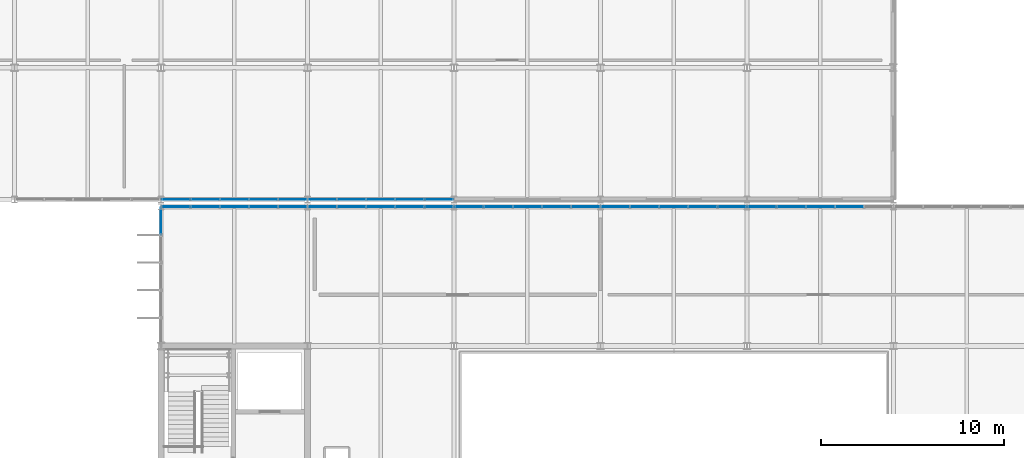
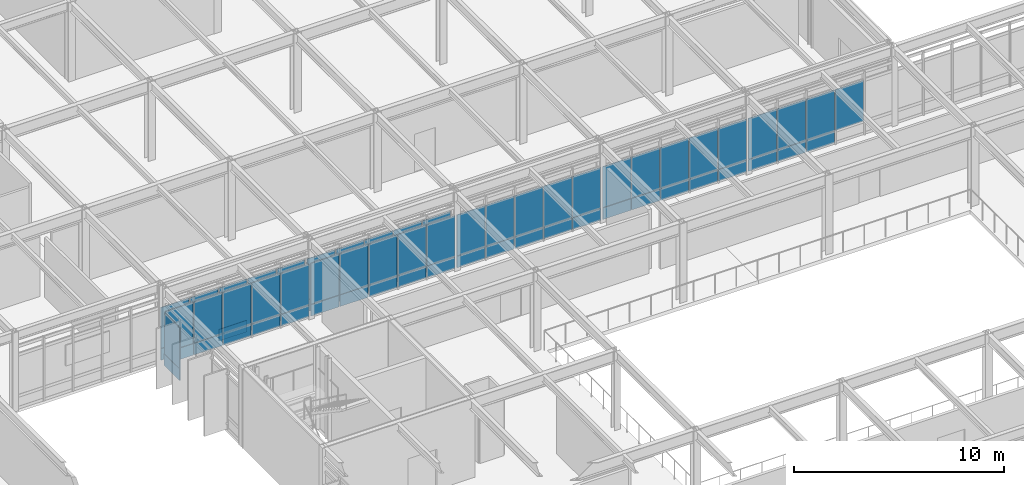
# One storey, part 73 of 104: 69 plates, 8 elements without a shape of their own.
"""IFC4 building model written with IfcOpenShell, lengths in metres."""

from ifc_helpers import new_model, si_unit, direction, frame, origin, origin_2d, place, context, subcontext, project, spatial, rectangle, extrude, material, layer, layer_set, type_object, element, aggregate, save


model = new_model("IFC4")

# Units and contexts
model_context = context("Model", 3, precision=1e-05, world=origin(), true_north=direction((0.0, 1.0)))
body_context = subcontext(model_context, "Body", "Model", "MODEL_VIEW")
ifc_project = project(units=[si_unit("LENGTHUNIT", "METRE"), si_unit("AREAUNIT", "SQUARE_METRE"), si_unit("VOLUMEUNIT", "CUBIC_METRE"), si_unit("PLANEANGLEUNIT", "RADIAN"), si_unit("MASSUNIT", "GRAM", prefix="KILO")], contexts=[model_context])

# Site, building, storey
site_placement = place(None, origin())
site = spatial("IfcSite", under=ifc_project, at=site_placement, CompositionType="ELEMENT")
building_placement = place(site_placement, origin())
building = spatial("IfcBuilding", under=site, at=building_placement, Name="Zulena Civic Courthouse", CompositionType="ELEMENT")
storey_placement = place(building_placement, frame((0.0, 0.0, 10.800048828125)))
storey = spatial("IfcBuildingStorey", under=building, at=storey_placement, Name="L02", CompositionType="ELEMENT", Elevation=10.800048828125)

# Curtain wall, plate
ifc_material_1 = material(Name="Double-silver low-E laminated solar-control glass", Category="glass")
curtain_wall_type_1 = type_object("IfcCurtainWallType", Name="CW_7540x3690", PredefinedType="USERDEFINED", material=ifc_material_1)
curtain_wall_1_placement = place(storey_placement, origin())
curtain_wall_1 = element("IfcCurtainWall", 1, at=curtain_wall_1_placement, inside=storey, type_object=curtain_wall_type_1, Name="cw:V4:L02:0:3", ObjectType="UNITISED CURTAIN WALL", PredefinedType="USERDEFINED")
ifc_material_2 = material(Name="Ceramic-fritted insulated spandrel glass", Category="glass")
ifc_layer_1 = layer(ifc_material_2, 0.0458984375)
ifc_layer_set_1 = layer_set([ifc_layer_1], Name="Ceramic-fritted insulated spandrel glass")
plate_type_1 = type_object("IfcPlateType", Name="CWPanel_Spandrel_46", PredefinedType="CURTAIN_PANEL", material=ifc_layer_set_1)
plate_1_placement = place(storey_placement, frame((68.0, 44.81591796875, 0.070068359375), z_axis=(0.0, 0.0, 1.0), x_axis=(0.0, 1.0, 0.0)))
plate_1 = element("IfcPlate", 2, at=plate_1_placement, type_object=plate_type_1, Name="cw:V4:L02:0:3:panS:4", PredefinedType="CURTAIN_PANEL", context=body_context, shape_type="SweptSolid", body=[
    extrude(rectangle(XDim=1.4580078125, YDim=0.0458984375, at=origin_2d()), origin(), (0.0, 0.0, 1.0), 0.669921875),
])

# Curtain wall, plates
curtain_wall_type_2 = type_object("IfcCurtainWallType", Name="CW_7940x3690", PredefinedType="USERDEFINED", material=ifc_material_1)
curtain_wall_2_placement = place(storey_placement, origin())
curtain_wall_2 = element("IfcCurtainWall", 3, at=curtain_wall_2_placement, inside=storey, type_object=curtain_wall_type_2, Name="cw:V4:L02:1:0", ObjectType="UNITISED CURTAIN WALL", PredefinedType="USERDEFINED")
plate_2_placement = place(storey_placement, frame((68.823974609375, 45.60009765625, 0.070068359375), z_axis=(0.0, 0.0, 1.0), x_axis=(1.0, 0.0, 0.0)))
plate_2 = element("IfcPlate", 4, at=plate_2_placement, type_object=plate_type_1, Name="cw:V4:L02:1:0:panS:0", PredefinedType="CURTAIN_PANEL", context=body_context, shape_type="SweptSolid", body=[
    extrude(rectangle(XDim=1.5380859375, YDim=0.0458984375, at=origin_2d()), origin(), (0.0, 0.0, 1.0), 0.669921875),
])
plate_3_placement = place(storey_placement, frame((70.412109375, 45.60009765625, 0.070068359375), z_axis=(0.0, 0.0, 1.0), x_axis=(1.0, 0.0, 0.0)))
plate_3 = element("IfcPlate", 5, at=plate_3_placement, type_object=plate_type_1, Name="cw:V4:L02:1:0:panS:1", PredefinedType="CURTAIN_PANEL", context=body_context, shape_type="SweptSolid", body=[
    extrude(rectangle(XDim=1.5380859375, YDim=0.0458984375, at=origin_2d()), origin(), (0.0, 0.0, 1.0), 0.669921875),
])
plate_4_placement = place(storey_placement, frame((72.0, 45.60009765625, 0.070068359375), z_axis=(0.0, 0.0, 1.0), x_axis=(1.0, 0.0, 0.0)))
plate_4 = element("IfcPlate", 6, at=plate_4_placement, type_object=plate_type_1, Name="cw:V4:L02:1:0:panS:2", PredefinedType="CURTAIN_PANEL", context=body_context, shape_type="SweptSolid", body=[
    extrude(rectangle(XDim=1.5380859375, YDim=0.0458984375, at=origin_2d()), origin(), (0.0, 0.0, 1.0), 0.669921875),
])
plate_5_placement = place(storey_placement, frame((73.587890625, 45.60009765625, 0.070068359375), z_axis=(0.0, 0.0, 1.0), x_axis=(1.0, 0.0, 0.0)))
plate_5 = element("IfcPlate", 7, at=plate_5_placement, type_object=plate_type_1, Name="cw:V4:L02:1:0:panS:3", PredefinedType="CURTAIN_PANEL", context=body_context, shape_type="SweptSolid", body=[
    extrude(rectangle(XDim=1.5380859375, YDim=0.0458984375, at=origin_2d()), origin(), (0.0, 0.0, 1.0), 0.669921875),
])
plate_6_placement = place(storey_placement, frame((75.176025390625, 45.60009765625, 0.070068359375), z_axis=(0.0, 0.0, 1.0), x_axis=(1.0, 0.0, 0.0)))
plate_6 = element("IfcPlate", 8, at=plate_6_placement, type_object=plate_type_1, Name="cw:V4:L02:1:0:panS:4", PredefinedType="CURTAIN_PANEL", context=body_context, shape_type="SweptSolid", body=[
    extrude(rectangle(XDim=1.5380859375, YDim=0.0458984375, at=origin_2d()), origin(), (0.0, 0.0, 1.0), 0.669921875),
])

curtain_wall_3_placement = place(storey_placement, origin())
curtain_wall_3 = element("IfcCurtainWall", 9, at=curtain_wall_3_placement, inside=storey, type_object=curtain_wall_type_2, Name="cw:V4:L02:1:1", ObjectType="UNITISED CURTAIN WALL", PredefinedType="USERDEFINED")
plate_7_placement = place(storey_placement, frame((76.823974609375, 45.60009765625, 0.070068359375), z_axis=(0.0, 0.0, 1.0), x_axis=(1.0, 0.0, 0.0)))
plate_7 = element("IfcPlate", 10, at=plate_7_placement, type_object=plate_type_1, Name="cw:V4:L02:1:1:panS:0", PredefinedType="CURTAIN_PANEL", context=body_context, shape_type="SweptSolid", body=[
    extrude(rectangle(XDim=1.5380859375, YDim=0.0458984375, at=origin_2d()), origin(), (0.0, 0.0, 1.0), 0.669921875),
])
plate_8_placement = place(storey_placement, frame((78.412109375, 45.60009765625, 0.070068359375), z_axis=(0.0, 0.0, 1.0), x_axis=(1.0, 0.0, 0.0)))
plate_8 = element("IfcPlate", 11, at=plate_8_placement, type_object=plate_type_1, Name="cw:V4:L02:1:1:panS:1", PredefinedType="CURTAIN_PANEL", context=body_context, shape_type="SweptSolid", body=[
    extrude(rectangle(XDim=1.5380859375, YDim=0.0458984375, at=origin_2d()), origin(), (0.0, 0.0, 1.0), 0.669921875),
])
plate_9_placement = place(storey_placement, frame((80.0, 45.60009765625, 0.070068359375), z_axis=(0.0, 0.0, 1.0), x_axis=(1.0, 0.0, 0.0)))
plate_9 = element("IfcPlate", 12, at=plate_9_placement, type_object=plate_type_1, Name="cw:V4:L02:1:1:panS:2", PredefinedType="CURTAIN_PANEL", context=body_context, shape_type="SweptSolid", body=[
    extrude(rectangle(XDim=1.5380859375, YDim=0.0458984375, at=origin_2d()), origin(), (0.0, 0.0, 1.0), 0.669921875),
])
plate_10_placement = place(storey_placement, frame((81.587890625, 45.60009765625, 0.070068359375), z_axis=(0.0, 0.0, 1.0), x_axis=(1.0, 0.0, 0.0)))
plate_10 = element("IfcPlate", 13, at=plate_10_placement, type_object=plate_type_1, Name="cw:V4:L02:1:1:panS:3", PredefinedType="CURTAIN_PANEL", context=body_context, shape_type="SweptSolid", body=[
    extrude(rectangle(XDim=1.5380859375, YDim=0.0458984375, at=origin_2d()), origin(), (0.0, 0.0, 1.0), 0.669921875),
])
plate_11_placement = place(storey_placement, frame((83.176025390625, 45.60009765625, 0.070068359375), z_axis=(0.0, 0.0, 1.0), x_axis=(1.0, 0.0, 0.0)))
plate_11 = element("IfcPlate", 14, at=plate_11_placement, type_object=plate_type_1, Name="cw:V4:L02:1:1:panS:4", PredefinedType="CURTAIN_PANEL", context=body_context, shape_type="SweptSolid", body=[
    extrude(rectangle(XDim=1.5380859375, YDim=0.0458984375, at=origin_2d()), origin(), (0.0, 0.0, 1.0), 0.669921875),
])

curtain_wall_4_placement = place(storey_placement, origin())
curtain_wall_4 = element("IfcCurtainWall", 15, at=curtain_wall_4_placement, inside=storey, type_object=curtain_wall_type_2, Name="cw:V4:L02:1:2", ObjectType="UNITISED CURTAIN WALL", PredefinedType="USERDEFINED")
plate_12_placement = place(storey_placement, frame((84.823974609375, 45.60009765625, 0.070068359375), z_axis=(0.0, 0.0, 1.0), x_axis=(1.0, 0.0, 0.0)))
plate_12 = element("IfcPlate", 16, at=plate_12_placement, type_object=plate_type_1, Name="cw:V4:L02:1:2:panS:0", PredefinedType="CURTAIN_PANEL", context=body_context, shape_type="SweptSolid", body=[
    extrude(rectangle(XDim=1.5380859375, YDim=0.0458984375, at=origin_2d()), origin(), (0.0, 0.0, 1.0), 0.669921875),
])
plate_13_placement = place(storey_placement, frame((86.412109375, 45.60009765625, 0.070068359375), z_axis=(0.0, 0.0, 1.0), x_axis=(1.0, 0.0, 0.0)))
plate_13 = element("IfcPlate", 17, at=plate_13_placement, type_object=plate_type_1, Name="cw:V4:L02:1:2:panS:1", PredefinedType="CURTAIN_PANEL", context=body_context, shape_type="SweptSolid", body=[
    extrude(rectangle(XDim=1.5380859375, YDim=0.0458984375, at=origin_2d()), origin(), (0.0, 0.0, 1.0), 0.669921875),
])
plate_14_placement = place(storey_placement, frame((88.0, 45.60009765625, 0.070068359375), z_axis=(0.0, 0.0, 1.0), x_axis=(1.0, 0.0, 0.0)))
plate_14 = element("IfcPlate", 18, at=plate_14_placement, type_object=plate_type_1, Name="cw:V4:L02:1:2:panS:2", PredefinedType="CURTAIN_PANEL", context=body_context, shape_type="SweptSolid", body=[
    extrude(rectangle(XDim=1.5380859375, YDim=0.0458984375, at=origin_2d()), origin(), (0.0, 0.0, 1.0), 0.669921875),
])
plate_15_placement = place(storey_placement, frame((89.587890625, 45.60009765625, 0.070068359375), z_axis=(0.0, 0.0, 1.0), x_axis=(1.0, 0.0, 0.0)))
plate_15 = element("IfcPlate", 19, at=plate_15_placement, type_object=plate_type_1, Name="cw:V4:L02:1:2:panS:3", PredefinedType="CURTAIN_PANEL", context=body_context, shape_type="SweptSolid", body=[
    extrude(rectangle(XDim=1.5380859375, YDim=0.0458984375, at=origin_2d()), origin(), (0.0, 0.0, 1.0), 0.669921875),
])
plate_16_placement = place(storey_placement, frame((91.176025390625, 45.60009765625, 0.070068359375), z_axis=(0.0, 0.0, 1.0), x_axis=(1.0, 0.0, 0.0)))
plate_16 = element("IfcPlate", 20, at=plate_16_placement, type_object=plate_type_1, Name="cw:V4:L02:1:2:panS:4", PredefinedType="CURTAIN_PANEL", context=body_context, shape_type="SweptSolid", body=[
    extrude(rectangle(XDim=1.5380859375, YDim=0.0458984375, at=origin_2d()), origin(), (0.0, 0.0, 1.0), 0.669921875),
])

curtain_wall_5_placement = place(storey_placement, origin())
curtain_wall_5 = element("IfcCurtainWall", 21, at=curtain_wall_5_placement, inside=storey, type_object=curtain_wall_type_2, Name="cw:V4:L02:1:3", ObjectType="UNITISED CURTAIN WALL", PredefinedType="USERDEFINED")
plate_17_placement = place(storey_placement, frame((92.823974609375, 45.60009765625, 0.070068359375), z_axis=(0.0, 0.0, 1.0), x_axis=(1.0, 0.0, 0.0)))
plate_17 = element("IfcPlate", 22, at=plate_17_placement, type_object=plate_type_1, Name="cw:V4:L02:1:3:panS:0", PredefinedType="CURTAIN_PANEL", context=body_context, shape_type="SweptSolid", body=[
    extrude(rectangle(XDim=1.5380859375, YDim=0.0458984375, at=origin_2d()), origin(), (0.0, 0.0, 1.0), 0.669921875),
])
plate_18_placement = place(storey_placement, frame((94.412109375, 45.60009765625, 0.070068359375), z_axis=(0.0, 0.0, 1.0), x_axis=(1.0, 0.0, 0.0)))
plate_18 = element("IfcPlate", 23, at=plate_18_placement, type_object=plate_type_1, Name="cw:V4:L02:1:3:panS:1", PredefinedType="CURTAIN_PANEL", context=body_context, shape_type="SweptSolid", body=[
    extrude(rectangle(XDim=1.5380859375, YDim=0.0458984375, at=origin_2d()), origin(), (0.0, 0.0, 1.0), 0.669921875),
])
plate_19_placement = place(storey_placement, frame((96.0, 45.60009765625, 0.070068359375), z_axis=(0.0, 0.0, 1.0), x_axis=(1.0, 0.0, 0.0)))
plate_19 = element("IfcPlate", 24, at=plate_19_placement, type_object=plate_type_1, Name="cw:V4:L02:1:3:panS:2", PredefinedType="CURTAIN_PANEL", context=body_context, shape_type="SweptSolid", body=[
    extrude(rectangle(XDim=1.5380859375, YDim=0.0458984375, at=origin_2d()), origin(), (0.0, 0.0, 1.0), 0.669921875),
])
plate_20_placement = place(storey_placement, frame((97.587890625, 45.60009765625, 0.070068359375), z_axis=(0.0, 0.0, 1.0), x_axis=(1.0, 0.0, 0.0)))
plate_20 = element("IfcPlate", 25, at=plate_20_placement, type_object=plate_type_1, Name="cw:V4:L02:1:3:panS:3", PredefinedType="CURTAIN_PANEL", context=body_context, shape_type="SweptSolid", body=[
    extrude(rectangle(XDim=1.5380859375, YDim=0.0458984375, at=origin_2d()), origin(), (0.0, 0.0, 1.0), 0.669921875),
])
plate_21_placement = place(storey_placement, frame((99.176025390625, 45.60009765625, 0.070068359375), z_axis=(0.0, 0.0, 1.0), x_axis=(1.0, 0.0, 0.0)))
plate_21 = element("IfcPlate", 26, at=plate_21_placement, type_object=plate_type_1, Name="cw:V4:L02:1:3:panS:4", PredefinedType="CURTAIN_PANEL", context=body_context, shape_type="SweptSolid", body=[
    extrude(rectangle(XDim=1.5380859375, YDim=0.0458984375, at=origin_2d()), origin(), (0.0, 0.0, 1.0), 0.669921875),
])

curtain_wall_6_placement = place(storey_placement, origin())
curtain_wall_6 = element("IfcCurtainWall", 27, at=curtain_wall_6_placement, inside=storey, type_object=curtain_wall_type_2, Name="cw:V4:L02:1:4", ObjectType="UNITISED CURTAIN WALL", PredefinedType="USERDEFINED")
plate_22_placement = place(storey_placement, frame((100.823974609375, 45.60009765625, 0.070068359375), z_axis=(0.0, 0.0, 1.0), x_axis=(1.0, 0.0, 0.0)))
plate_22 = element("IfcPlate", 28, at=plate_22_placement, type_object=plate_type_1, Name="cw:V4:L02:1:4:panS:0", PredefinedType="CURTAIN_PANEL", context=body_context, shape_type="SweptSolid", body=[
    extrude(rectangle(XDim=1.5380859375, YDim=0.0458984375, at=origin_2d()), origin(), (0.0, 0.0, 1.0), 0.669921875),
])
plate_23_placement = place(storey_placement, frame((102.412109375, 45.60009765625, 0.070068359375), z_axis=(0.0, 0.0, 1.0), x_axis=(1.0, 0.0, 0.0)))
plate_23 = element("IfcPlate", 29, at=plate_23_placement, type_object=plate_type_1, Name="cw:V4:L02:1:4:panS:1", PredefinedType="CURTAIN_PANEL", context=body_context, shape_type="SweptSolid", body=[
    extrude(rectangle(XDim=1.5380859375, YDim=0.0458984375, at=origin_2d()), origin(), (0.0, 0.0, 1.0), 0.669921875),
])
plate_24_placement = place(storey_placement, frame((104.0, 45.60009765625, 0.070068359375), z_axis=(0.0, 0.0, 1.0), x_axis=(1.0, 0.0, 0.0)))
plate_24 = element("IfcPlate", 30, at=plate_24_placement, type_object=plate_type_1, Name="cw:V4:L02:1:4:panS:2", PredefinedType="CURTAIN_PANEL", context=body_context, shape_type="SweptSolid", body=[
    extrude(rectangle(XDim=1.5380859375, YDim=0.0458984375, at=origin_2d()), origin(), (0.0, 0.0, 1.0), 0.669921875),
])

curtain_wall_7_placement = place(storey_placement, origin())
curtain_wall_7 = element("IfcCurtainWall", 31, at=curtain_wall_7_placement, inside=storey, type_object=curtain_wall_type_2, Name="cw:V5:L02:5:3", ObjectType="UNITISED CURTAIN WALL", PredefinedType="USERDEFINED")
plate_25_placement = place(storey_placement, frame((83.176025390625, 46.0, 0.070068359375), z_axis=(0.0, 0.0, 1.0), x_axis=(-1.0, 0.0, 0.0)))
plate_25 = element("IfcPlate", 32, at=plate_25_placement, type_object=plate_type_1, Name="cw:V5:L02:5:3:panS:0", PredefinedType="CURTAIN_PANEL", context=body_context, shape_type="SweptSolid", body=[
    extrude(rectangle(XDim=1.5380859375, YDim=0.0458984375, at=origin_2d()), origin(), (0.0, 0.0, 1.0), 0.669921875),
])
plate_26_placement = place(storey_placement, frame((81.587890625, 46.0, 0.070068359375), z_axis=(0.0, 0.0, 1.0), x_axis=(-1.0, 0.0, 0.0)))
plate_26 = element("IfcPlate", 33, at=plate_26_placement, type_object=plate_type_1, Name="cw:V5:L02:5:3:panS:1", PredefinedType="CURTAIN_PANEL", context=body_context, shape_type="SweptSolid", body=[
    extrude(rectangle(XDim=1.5380859375, YDim=0.0458984375, at=origin_2d()), origin(), (0.0, 0.0, 1.0), 0.669921875),
])
plate_27_placement = place(storey_placement, frame((80.0, 46.0, 0.070068359375), z_axis=(0.0, 0.0, 1.0), x_axis=(-1.0, 0.0, 0.0)))
plate_27 = element("IfcPlate", 34, at=plate_27_placement, type_object=plate_type_1, Name="cw:V5:L02:5:3:panS:2", PredefinedType="CURTAIN_PANEL", context=body_context, shape_type="SweptSolid", body=[
    extrude(rectangle(XDim=1.5380859375, YDim=0.0458984375, at=origin_2d()), origin(), (0.0, 0.0, 1.0), 0.669921875),
])
plate_28_placement = place(storey_placement, frame((78.412109375, 46.0, 0.070068359375), z_axis=(0.0, 0.0, 1.0), x_axis=(-1.0, 0.0, 0.0)))
plate_28 = element("IfcPlate", 35, at=plate_28_placement, type_object=plate_type_1, Name="cw:V5:L02:5:3:panS:3", PredefinedType="CURTAIN_PANEL", context=body_context, shape_type="SweptSolid", body=[
    extrude(rectangle(XDim=1.5380859375, YDim=0.0458984375, at=origin_2d()), origin(), (0.0, 0.0, 1.0), 0.669921875),
])
plate_29_placement = place(storey_placement, frame((76.823974609375, 46.0, 0.070068359375), z_axis=(0.0, 0.0, 1.0), x_axis=(-1.0, 0.0, 0.0)))
plate_29 = element("IfcPlate", 36, at=plate_29_placement, type_object=plate_type_1, Name="cw:V5:L02:5:3:panS:4", PredefinedType="CURTAIN_PANEL", context=body_context, shape_type="SweptSolid", body=[
    extrude(rectangle(XDim=1.5380859375, YDim=0.0458984375, at=origin_2d()), origin(), (0.0, 0.0, 1.0), 0.669921875),
])

curtain_wall_8_placement = place(storey_placement, origin())
curtain_wall_8 = element("IfcCurtainWall", 37, at=curtain_wall_8_placement, inside=storey, type_object=curtain_wall_type_2, Name="cw:V5:L02:5:4", ObjectType="UNITISED CURTAIN WALL", PredefinedType="USERDEFINED")
plate_30_placement = place(storey_placement, frame((75.176025390625, 46.0, 0.070068359375), z_axis=(0.0, 0.0, 1.0), x_axis=(-1.0, 0.0, 0.0)))
plate_30 = element("IfcPlate", 38, at=plate_30_placement, type_object=plate_type_1, Name="cw:V5:L02:5:4:panS:0", PredefinedType="CURTAIN_PANEL", context=body_context, shape_type="SweptSolid", body=[
    extrude(rectangle(XDim=1.5380859375, YDim=0.0458984375, at=origin_2d()), origin(), (0.0, 0.0, 1.0), 0.669921875),
])
plate_31_placement = place(storey_placement, frame((73.587890625, 46.0, 0.070068359375), z_axis=(0.0, 0.0, 1.0), x_axis=(-1.0, 0.0, 0.0)))
plate_31 = element("IfcPlate", 39, at=plate_31_placement, type_object=plate_type_1, Name="cw:V5:L02:5:4:panS:1", PredefinedType="CURTAIN_PANEL", context=body_context, shape_type="SweptSolid", body=[
    extrude(rectangle(XDim=1.5380859375, YDim=0.0458984375, at=origin_2d()), origin(), (0.0, 0.0, 1.0), 0.669921875),
])
plate_32_placement = place(storey_placement, frame((72.0, 46.0, 0.070068359375), z_axis=(0.0, 0.0, 1.0), x_axis=(-1.0, 0.0, 0.0)))
plate_32 = element("IfcPlate", 40, at=plate_32_placement, type_object=plate_type_1, Name="cw:V5:L02:5:4:panS:2", PredefinedType="CURTAIN_PANEL", context=body_context, shape_type="SweptSolid", body=[
    extrude(rectangle(XDim=1.5380859375, YDim=0.0458984375, at=origin_2d()), origin(), (0.0, 0.0, 1.0), 0.669921875),
])
plate_33_placement = place(storey_placement, frame((70.412109375, 46.0, 0.070068359375), z_axis=(0.0, 0.0, 1.0), x_axis=(-1.0, 0.0, 0.0)))
plate_33 = element("IfcPlate", 41, at=plate_33_placement, type_object=plate_type_1, Name="cw:V5:L02:5:4:panS:3", PredefinedType="CURTAIN_PANEL", context=body_context, shape_type="SweptSolid", body=[
    extrude(rectangle(XDim=1.5380859375, YDim=0.0458984375, at=origin_2d()), origin(), (0.0, 0.0, 1.0), 0.669921875),
])
plate_34_placement = place(storey_placement, frame((68.823974609375, 46.0, 0.070068359375), z_axis=(0.0, 0.0, 1.0), x_axis=(-1.0, 0.0, 0.0)))
plate_34 = element("IfcPlate", 42, at=plate_34_placement, type_object=plate_type_1, Name="cw:V5:L02:5:4:panS:4", PredefinedType="CURTAIN_PANEL", context=body_context, shape_type="SweptSolid", body=[
    extrude(rectangle(XDim=1.5380859375, YDim=0.0458984375, at=origin_2d()), origin(), (0.0, 0.0, 1.0), 0.669921875),
])

# Plate
ifc_layer_2 = layer(ifc_material_1, 0.035888671875)
ifc_layer_set_2 = layer_set([ifc_layer_2], Name="Double-silver low-E laminated solar-control glass")
plate_type_2 = type_object("IfcPlateType", Name="CWPanel_Vision_36", PredefinedType="CURTAIN_PANEL", material=ifc_layer_set_2)
plate_35_placement = place(storey_placement, frame((68.0, 44.81591796875, 0.760009765625), z_axis=(0.0, 0.0, 1.0), x_axis=(0.0, 1.0, 0.0)))
plate_35 = element("IfcPlate", 43, at=plate_35_placement, type_object=plate_type_2, Name="cw:V4:L02:0:3:panV:4", PredefinedType="CURTAIN_PANEL", context=body_context, shape_type="SweptSolid", body=[
    extrude(rectangle(XDim=1.4580078125, YDim=0.035888671875, at=origin_2d()), origin(), (0.0, 0.0, 1.0), 2.3701171875),
])

aggregate(curtain_wall_1, [plate_35, plate_1])

plate_36_placement = place(storey_placement, frame((68.823974609375, 45.60009765625, 0.760009765625), z_axis=(0.0, 0.0, 1.0), x_axis=(1.0, 0.0, 0.0)))
plate_36 = element("IfcPlate", 44, at=plate_36_placement, type_object=plate_type_2, Name="cw:V4:L02:1:0:panV:0", PredefinedType="CURTAIN_PANEL", context=body_context, shape_type="SweptSolid", body=[
    extrude(rectangle(XDim=1.5380859375, YDim=0.035888671875, at=origin_2d()), origin(), (0.0, 0.0, 1.0), 2.3701171875),
])

plate_37_placement = place(storey_placement, frame((70.412109375, 45.60009765625, 0.760009765625), z_axis=(0.0, 0.0, 1.0), x_axis=(1.0, 0.0, 0.0)))
plate_37 = element("IfcPlate", 45, at=plate_37_placement, type_object=plate_type_2, Name="cw:V4:L02:1:0:panV:1", PredefinedType="CURTAIN_PANEL", context=body_context, shape_type="SweptSolid", body=[
    extrude(rectangle(XDim=1.5380859375, YDim=0.035888671875, at=origin_2d()), origin(), (0.0, 0.0, 1.0), 2.3701171875),
])

plate_38_placement = place(storey_placement, frame((72.0, 45.60009765625, 0.760009765625), z_axis=(0.0, 0.0, 1.0), x_axis=(1.0, 0.0, 0.0)))
plate_38 = element("IfcPlate", 46, at=plate_38_placement, type_object=plate_type_2, Name="cw:V4:L02:1:0:panV:2", PredefinedType="CURTAIN_PANEL", context=body_context, shape_type="SweptSolid", body=[
    extrude(rectangle(XDim=1.5380859375, YDim=0.035888671875, at=origin_2d()), origin(), (0.0, 0.0, 1.0), 2.3701171875),
])

plate_39_placement = place(storey_placement, frame((73.587890625, 45.60009765625, 0.760009765625), z_axis=(0.0, 0.0, 1.0), x_axis=(1.0, 0.0, 0.0)))
plate_39 = element("IfcPlate", 47, at=plate_39_placement, type_object=plate_type_2, Name="cw:V4:L02:1:0:panV:3", PredefinedType="CURTAIN_PANEL", context=body_context, shape_type="SweptSolid", body=[
    extrude(rectangle(XDim=1.5380859375, YDim=0.035888671875, at=origin_2d()), origin(), (0.0, 0.0, 1.0), 2.3701171875),
])

plate_40_placement = place(storey_placement, frame((75.176025390625, 45.60009765625, 0.760009765625), z_axis=(0.0, 0.0, 1.0), x_axis=(1.0, 0.0, 0.0)))
plate_40 = element("IfcPlate", 48, at=plate_40_placement, type_object=plate_type_2, Name="cw:V4:L02:1:0:panV:4", PredefinedType="CURTAIN_PANEL", context=body_context, shape_type="SweptSolid", body=[
    extrude(rectangle(XDim=1.5380859375, YDim=0.035888671875, at=origin_2d()), origin(), (0.0, 0.0, 1.0), 2.3701171875),
])

aggregate(curtain_wall_2, [plate_36, plate_2, plate_37, plate_3, plate_38, plate_4, plate_39, plate_5, plate_40, plate_6])

plate_41_placement = place(storey_placement, frame((76.823974609375, 45.60009765625, 0.760009765625), z_axis=(0.0, 0.0, 1.0), x_axis=(1.0, 0.0, 0.0)))
plate_41 = element("IfcPlate", 49, at=plate_41_placement, type_object=plate_type_2, Name="cw:V4:L02:1:1:panV:0", PredefinedType="CURTAIN_PANEL", context=body_context, shape_type="SweptSolid", body=[
    extrude(rectangle(XDim=1.5380859375, YDim=0.035888671875, at=origin_2d()), origin(), (0.0, 0.0, 1.0), 2.3701171875),
])

plate_42_placement = place(storey_placement, frame((78.412109375, 45.60009765625, 0.760009765625), z_axis=(0.0, 0.0, 1.0), x_axis=(1.0, 0.0, 0.0)))
plate_42 = element("IfcPlate", 50, at=plate_42_placement, type_object=plate_type_2, Name="cw:V4:L02:1:1:panV:1", PredefinedType="CURTAIN_PANEL", context=body_context, shape_type="SweptSolid", body=[
    extrude(rectangle(XDim=1.5380859375, YDim=0.035888671875, at=origin_2d()), origin(), (0.0, 0.0, 1.0), 2.3701171875),
])

plate_43_placement = place(storey_placement, frame((80.0, 45.60009765625, 0.760009765625), z_axis=(0.0, 0.0, 1.0), x_axis=(1.0, 0.0, 0.0)))
plate_43 = element("IfcPlate", 51, at=plate_43_placement, type_object=plate_type_2, Name="cw:V4:L02:1:1:panV:2", PredefinedType="CURTAIN_PANEL", context=body_context, shape_type="SweptSolid", body=[
    extrude(rectangle(XDim=1.5380859375, YDim=0.035888671875, at=origin_2d()), origin(), (0.0, 0.0, 1.0), 2.3701171875),
])

plate_44_placement = place(storey_placement, frame((81.587890625, 45.60009765625, 0.760009765625), z_axis=(0.0, 0.0, 1.0), x_axis=(1.0, 0.0, 0.0)))
plate_44 = element("IfcPlate", 52, at=plate_44_placement, type_object=plate_type_2, Name="cw:V4:L02:1:1:panV:3", PredefinedType="CURTAIN_PANEL", context=body_context, shape_type="SweptSolid", body=[
    extrude(rectangle(XDim=1.5380859375, YDim=0.035888671875, at=origin_2d()), origin(), (0.0, 0.0, 1.0), 2.3701171875),
])

plate_45_placement = place(storey_placement, frame((83.176025390625, 45.60009765625, 0.760009765625), z_axis=(0.0, 0.0, 1.0), x_axis=(1.0, 0.0, 0.0)))
plate_45 = element("IfcPlate", 53, at=plate_45_placement, type_object=plate_type_2, Name="cw:V4:L02:1:1:panV:4", PredefinedType="CURTAIN_PANEL", context=body_context, shape_type="SweptSolid", body=[
    extrude(rectangle(XDim=1.5380859375, YDim=0.035888671875, at=origin_2d()), origin(), (0.0, 0.0, 1.0), 2.3701171875),
])

aggregate(curtain_wall_3, [plate_41, plate_7, plate_42, plate_8, plate_43, plate_9, plate_44, plate_10, plate_45, plate_11])

plate_46_placement = place(storey_placement, frame((84.823974609375, 45.60009765625, 0.760009765625), z_axis=(0.0, 0.0, 1.0), x_axis=(1.0, 0.0, 0.0)))
plate_46 = element("IfcPlate", 54, at=plate_46_placement, type_object=plate_type_2, Name="cw:V4:L02:1:2:panV:0", PredefinedType="CURTAIN_PANEL", context=body_context, shape_type="SweptSolid", body=[
    extrude(rectangle(XDim=1.5380859375, YDim=0.035888671875, at=origin_2d()), origin(), (0.0, 0.0, 1.0), 2.3701171875),
])

plate_47_placement = place(storey_placement, frame((86.412109375, 45.60009765625, 0.760009765625), z_axis=(0.0, 0.0, 1.0), x_axis=(1.0, 0.0, 0.0)))
plate_47 = element("IfcPlate", 55, at=plate_47_placement, type_object=plate_type_2, Name="cw:V4:L02:1:2:panV:1", PredefinedType="CURTAIN_PANEL", context=body_context, shape_type="SweptSolid", body=[
    extrude(rectangle(XDim=1.5380859375, YDim=0.035888671875, at=origin_2d()), origin(), (0.0, 0.0, 1.0), 2.3701171875),
])

plate_48_placement = place(storey_placement, frame((88.0, 45.60009765625, 0.760009765625), z_axis=(0.0, 0.0, 1.0), x_axis=(1.0, 0.0, 0.0)))
plate_48 = element("IfcPlate", 56, at=plate_48_placement, type_object=plate_type_2, Name="cw:V4:L02:1:2:panV:2", PredefinedType="CURTAIN_PANEL", context=body_context, shape_type="SweptSolid", body=[
    extrude(rectangle(XDim=1.5380859375, YDim=0.035888671875, at=origin_2d()), origin(), (0.0, 0.0, 1.0), 2.3701171875),
])

plate_49_placement = place(storey_placement, frame((89.587890625, 45.60009765625, 0.760009765625), z_axis=(0.0, 0.0, 1.0), x_axis=(1.0, 0.0, 0.0)))
plate_49 = element("IfcPlate", 57, at=plate_49_placement, type_object=plate_type_2, Name="cw:V4:L02:1:2:panV:3", PredefinedType="CURTAIN_PANEL", context=body_context, shape_type="SweptSolid", body=[
    extrude(rectangle(XDim=1.5380859375, YDim=0.035888671875, at=origin_2d()), origin(), (0.0, 0.0, 1.0), 2.3701171875),
])

plate_50_placement = place(storey_placement, frame((91.176025390625, 45.60009765625, 0.760009765625), z_axis=(0.0, 0.0, 1.0), x_axis=(1.0, 0.0, 0.0)))
plate_50 = element("IfcPlate", 58, at=plate_50_placement, type_object=plate_type_2, Name="cw:V4:L02:1:2:panV:4", PredefinedType="CURTAIN_PANEL", context=body_context, shape_type="SweptSolid", body=[
    extrude(rectangle(XDim=1.5380859375, YDim=0.035888671875, at=origin_2d()), origin(), (0.0, 0.0, 1.0), 2.3701171875),
])

aggregate(curtain_wall_4, [plate_46, plate_12, plate_47, plate_13, plate_48, plate_14, plate_49, plate_15, plate_50, plate_16])

plate_51_placement = place(storey_placement, frame((92.823974609375, 45.60009765625, 0.760009765625), z_axis=(0.0, 0.0, 1.0), x_axis=(1.0, 0.0, 0.0)))
plate_51 = element("IfcPlate", 59, at=plate_51_placement, type_object=plate_type_2, Name="cw:V4:L02:1:3:panV:0", PredefinedType="CURTAIN_PANEL", context=body_context, shape_type="SweptSolid", body=[
    extrude(rectangle(XDim=1.5380859375, YDim=0.035888671875, at=origin_2d()), origin(), (0.0, 0.0, 1.0), 2.3701171875),
])

plate_52_placement = place(storey_placement, frame((94.412109375, 45.60009765625, 0.760009765625), z_axis=(0.0, 0.0, 1.0), x_axis=(1.0, 0.0, 0.0)))
plate_52 = element("IfcPlate", 60, at=plate_52_placement, type_object=plate_type_2, Name="cw:V4:L02:1:3:panV:1", PredefinedType="CURTAIN_PANEL", context=body_context, shape_type="SweptSolid", body=[
    extrude(rectangle(XDim=1.5380859375, YDim=0.035888671875, at=origin_2d()), origin(), (0.0, 0.0, 1.0), 2.3701171875),
])

plate_53_placement = place(storey_placement, frame((96.0, 45.60009765625, 0.760009765625), z_axis=(0.0, 0.0, 1.0), x_axis=(1.0, 0.0, 0.0)))
plate_53 = element("IfcPlate", 61, at=plate_53_placement, type_object=plate_type_2, Name="cw:V4:L02:1:3:panV:2", PredefinedType="CURTAIN_PANEL", context=body_context, shape_type="SweptSolid", body=[
    extrude(rectangle(XDim=1.5380859375, YDim=0.035888671875, at=origin_2d()), origin(), (0.0, 0.0, 1.0), 2.3701171875),
])

plate_54_placement = place(storey_placement, frame((97.587890625, 45.60009765625, 0.760009765625), z_axis=(0.0, 0.0, 1.0), x_axis=(1.0, 0.0, 0.0)))
plate_54 = element("IfcPlate", 62, at=plate_54_placement, type_object=plate_type_2, Name="cw:V4:L02:1:3:panV:3", PredefinedType="CURTAIN_PANEL", context=body_context, shape_type="SweptSolid", body=[
    extrude(rectangle(XDim=1.5380859375, YDim=0.035888671875, at=origin_2d()), origin(), (0.0, 0.0, 1.0), 2.3701171875),
])

plate_55_placement = place(storey_placement, frame((99.176025390625, 45.60009765625, 0.760009765625), z_axis=(0.0, 0.0, 1.0), x_axis=(1.0, 0.0, 0.0)))
plate_55 = element("IfcPlate", 63, at=plate_55_placement, type_object=plate_type_2, Name="cw:V4:L02:1:3:panV:4", PredefinedType="CURTAIN_PANEL", context=body_context, shape_type="SweptSolid", body=[
    extrude(rectangle(XDim=1.5380859375, YDim=0.035888671875, at=origin_2d()), origin(), (0.0, 0.0, 1.0), 2.3701171875),
])

aggregate(curtain_wall_5, [plate_51, plate_17, plate_52, plate_18, plate_53, plate_19, plate_54, plate_20, plate_55, plate_21])

plate_56_placement = place(storey_placement, frame((100.823974609375, 45.60009765625, 0.760009765625), z_axis=(0.0, 0.0, 1.0), x_axis=(1.0, 0.0, 0.0)))
plate_56 = element("IfcPlate", 64, at=plate_56_placement, type_object=plate_type_2, Name="cw:V4:L02:1:4:panV:0", PredefinedType="CURTAIN_PANEL", context=body_context, shape_type="SweptSolid", body=[
    extrude(rectangle(XDim=1.5380859375, YDim=0.035888671875, at=origin_2d()), origin(), (0.0, 0.0, 1.0), 2.3701171875),
])

plate_57_placement = place(storey_placement, frame((102.412109375, 45.60009765625, 0.760009765625), z_axis=(0.0, 0.0, 1.0), x_axis=(1.0, 0.0, 0.0)))
plate_57 = element("IfcPlate", 65, at=plate_57_placement, type_object=plate_type_2, Name="cw:V4:L02:1:4:panV:1", PredefinedType="CURTAIN_PANEL", context=body_context, shape_type="SweptSolid", body=[
    extrude(rectangle(XDim=1.5380859375, YDim=0.035888671875, at=origin_2d()), origin(), (0.0, 0.0, 1.0), 2.3701171875),
])

plate_58_placement = place(storey_placement, frame((104.0, 45.60009765625, 0.760009765625), z_axis=(0.0, 0.0, 1.0), x_axis=(1.0, 0.0, 0.0)))
plate_58 = element("IfcPlate", 66, at=plate_58_placement, type_object=plate_type_2, Name="cw:V4:L02:1:4:panV:2", PredefinedType="CURTAIN_PANEL", context=body_context, shape_type="SweptSolid", body=[
    extrude(rectangle(XDim=1.5380859375, YDim=0.035888671875, at=origin_2d()), origin(), (0.0, 0.0, 1.0), 2.3701171875),
])

plate_59_placement = place(storey_placement, frame((105.587890625, 45.60009765625, 0.760009765625), z_axis=(0.0, 0.0, 1.0), x_axis=(1.0, 0.0, 0.0)))
plate_59 = element("IfcPlate", 67, at=plate_59_placement, type_object=plate_type_2, Name="cw:V4:L02:1:4:panV:3", PredefinedType="CURTAIN_PANEL", context=body_context, shape_type="SweptSolid", body=[
    extrude(rectangle(XDim=1.5380859375, YDim=0.035888671875, at=origin_2d()), origin(), (0.0, 0.0, 1.0), 2.3701171875),
])

aggregate(curtain_wall_6, [plate_56, plate_22, plate_57, plate_23, plate_58, plate_24, plate_59])

plate_60_placement = place(storey_placement, frame((83.176025390625, 46.0, 0.760009765625), z_axis=(0.0, 0.0, 1.0), x_axis=(-1.0, 0.0, 0.0)))
plate_60 = element("IfcPlate", 68, at=plate_60_placement, type_object=plate_type_2, Name="cw:V5:L02:5:3:panV:0", PredefinedType="CURTAIN_PANEL", context=body_context, shape_type="SweptSolid", body=[
    extrude(rectangle(XDim=1.5380859375, YDim=0.035888671875, at=origin_2d()), origin(), (0.0, 0.0, 1.0), 2.3701171875),
])

plate_61_placement = place(storey_placement, frame((81.587890625, 46.0, 0.760009765625), z_axis=(0.0, 0.0, 1.0), x_axis=(-1.0, 0.0, 0.0)))
plate_61 = element("IfcPlate", 69, at=plate_61_placement, type_object=plate_type_2, Name="cw:V5:L02:5:3:panV:1", PredefinedType="CURTAIN_PANEL", context=body_context, shape_type="SweptSolid", body=[
    extrude(rectangle(XDim=1.5380859375, YDim=0.035888671875, at=origin_2d()), origin(), (0.0, 0.0, 1.0), 2.3701171875),
])

plate_62_placement = place(storey_placement, frame((80.0, 46.0, 0.760009765625), z_axis=(0.0, 0.0, 1.0), x_axis=(-1.0, 0.0, 0.0)))
plate_62 = element("IfcPlate", 70, at=plate_62_placement, type_object=plate_type_2, Name="cw:V5:L02:5:3:panV:2", PredefinedType="CURTAIN_PANEL", context=body_context, shape_type="SweptSolid", body=[
    extrude(rectangle(XDim=1.5380859375, YDim=0.035888671875, at=origin_2d()), origin(), (0.0, 0.0, 1.0), 2.3701171875),
])

plate_63_placement = place(storey_placement, frame((78.412109375, 46.0, 0.760009765625), z_axis=(0.0, 0.0, 1.0), x_axis=(-1.0, 0.0, 0.0)))
plate_63 = element("IfcPlate", 71, at=plate_63_placement, type_object=plate_type_2, Name="cw:V5:L02:5:3:panV:3", PredefinedType="CURTAIN_PANEL", context=body_context, shape_type="SweptSolid", body=[
    extrude(rectangle(XDim=1.5380859375, YDim=0.035888671875, at=origin_2d()), origin(), (0.0, 0.0, 1.0), 2.3701171875),
])

plate_64_placement = place(storey_placement, frame((76.823974609375, 46.0, 0.760009765625), z_axis=(0.0, 0.0, 1.0), x_axis=(-1.0, 0.0, 0.0)))
plate_64 = element("IfcPlate", 72, at=plate_64_placement, type_object=plate_type_2, Name="cw:V5:L02:5:3:panV:4", PredefinedType="CURTAIN_PANEL", context=body_context, shape_type="SweptSolid", body=[
    extrude(rectangle(XDim=1.5380859375, YDim=0.035888671875, at=origin_2d()), origin(), (0.0, 0.0, 1.0), 2.3701171875),
])

aggregate(curtain_wall_7, [plate_60, plate_25, plate_61, plate_26, plate_62, plate_27, plate_63, plate_28, plate_64, plate_29])

plate_65_placement = place(storey_placement, frame((75.176025390625, 46.0, 0.760009765625), z_axis=(0.0, 0.0, 1.0), x_axis=(-1.0, 0.0, 0.0)))
plate_65 = element("IfcPlate", 73, at=plate_65_placement, type_object=plate_type_2, Name="cw:V5:L02:5:4:panV:0", PredefinedType="CURTAIN_PANEL", context=body_context, shape_type="SweptSolid", body=[
    extrude(rectangle(XDim=1.5380859375, YDim=0.035888671875, at=origin_2d()), origin(), (0.0, 0.0, 1.0), 2.3701171875),
])

plate_66_placement = place(storey_placement, frame((73.587890625, 46.0, 0.760009765625), z_axis=(0.0, 0.0, 1.0), x_axis=(-1.0, 0.0, 0.0)))
plate_66 = element("IfcPlate", 74, at=plate_66_placement, type_object=plate_type_2, Name="cw:V5:L02:5:4:panV:1", PredefinedType="CURTAIN_PANEL", context=body_context, shape_type="SweptSolid", body=[
    extrude(rectangle(XDim=1.5380859375, YDim=0.035888671875, at=origin_2d()), origin(), (0.0, 0.0, 1.0), 2.3701171875),
])

plate_67_placement = place(storey_placement, frame((72.0, 46.0, 0.760009765625), z_axis=(0.0, 0.0, 1.0), x_axis=(-1.0, 0.0, 0.0)))
plate_67 = element("IfcPlate", 75, at=plate_67_placement, type_object=plate_type_2, Name="cw:V5:L02:5:4:panV:2", PredefinedType="CURTAIN_PANEL", context=body_context, shape_type="SweptSolid", body=[
    extrude(rectangle(XDim=1.5380859375, YDim=0.035888671875, at=origin_2d()), origin(), (0.0, 0.0, 1.0), 2.3701171875),
])

plate_68_placement = place(storey_placement, frame((70.412109375, 46.0, 0.760009765625), z_axis=(0.0, 0.0, 1.0), x_axis=(-1.0, 0.0, 0.0)))
plate_68 = element("IfcPlate", 76, at=plate_68_placement, type_object=plate_type_2, Name="cw:V5:L02:5:4:panV:3", PredefinedType="CURTAIN_PANEL", context=body_context, shape_type="SweptSolid", body=[
    extrude(rectangle(XDim=1.5380859375, YDim=0.035888671875, at=origin_2d()), origin(), (0.0, 0.0, 1.0), 2.3701171875),
])

plate_69_placement = place(storey_placement, frame((68.823974609375, 46.0, 0.760009765625), z_axis=(0.0, 0.0, 1.0), x_axis=(-1.0, 0.0, 0.0)))
plate_69 = element("IfcPlate", 77, at=plate_69_placement, type_object=plate_type_2, Name="cw:V5:L02:5:4:panV:4", PredefinedType="CURTAIN_PANEL", context=body_context, shape_type="SweptSolid", body=[
    extrude(rectangle(XDim=1.5380859375, YDim=0.035888671875, at=origin_2d()), origin(), (0.0, 0.0, 1.0), 2.3701171875),
])

aggregate(curtain_wall_8, [plate_65, plate_30, plate_66, plate_31, plate_67, plate_32, plate_68, plate_33, plate_69, plate_34])

save(model, "model.ifc")
